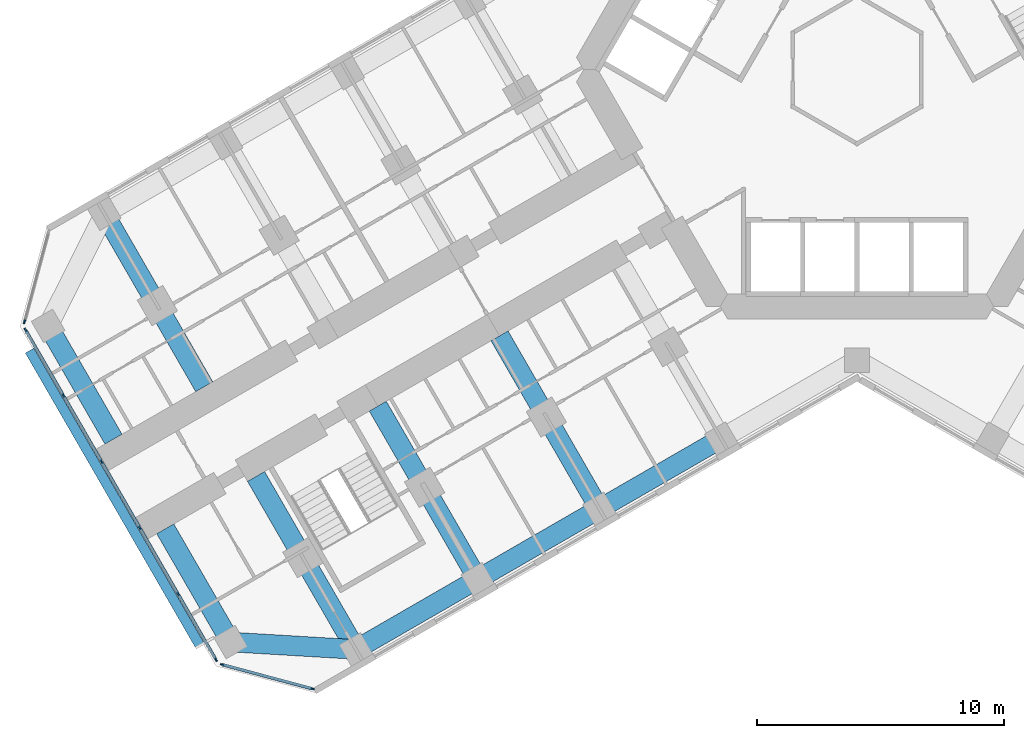
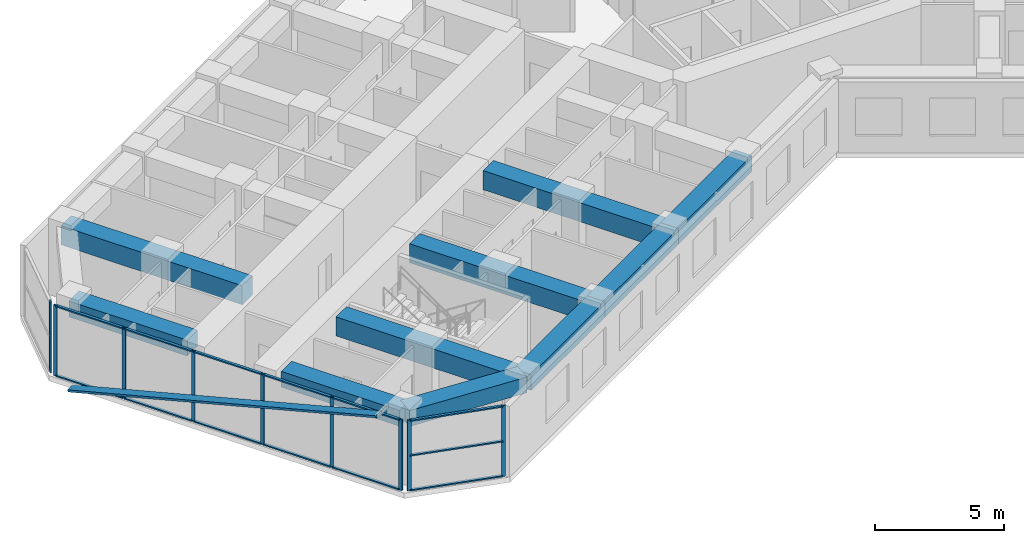
# One storey, part 2 of 21: 23 members, 10 beams, 3 elements without a shape of their own.
"""IFC4 building model written with IfcOpenShell, lengths in metres."""

from ifc_helpers import new_model, si_unit, direction, frame, origin, origin_2d, place, context, subcontext, project, spatial, rectangle, extrude, material, material_profile, profile_set, type_object, element, aggregate, save


model = new_model("IFC4")

# Units and contexts
model_context = context("Model", 3, precision=1e-05, world=origin(), true_north=direction((0.0, 1.0)))
body_context = subcontext(model_context, "Body", "Model", "MODEL_VIEW")
ifc_project = project(units=[si_unit("LENGTHUNIT", "METRE"), si_unit("AREAUNIT", "SQUARE_METRE"), si_unit("VOLUMEUNIT", "CUBIC_METRE"), si_unit("PLANEANGLEUNIT", "RADIAN"), si_unit("MASSUNIT", "GRAM", prefix="KILO")], contexts=[model_context])

# Site, building, storey
site_placement = place(None, origin())
site = spatial("IfcSite", under=ifc_project, at=site_placement, CompositionType="ELEMENT")
building_placement = place(site_placement, origin())
building = spatial("IfcBuilding", under=site, at=building_placement, Name="Kosmar Iwan School Tower", CompositionType="ELEMENT")
storey_placement = place(building_placement, frame((0.0, 0.0, 61.0)))
storey = spatial("IfcBuildingStorey", under=building, at=storey_placement, Name="L14", CompositionType="ELEMENT", Elevation=61.0)

# Member
ifc_material_1 = material(Name="Black anodised aluminium", Category="aluminium")
ifc_material_profile_1 = material_profile(ifc_material_1, rectangle(XDim=0.10009765625, YDim=0.39990234375, at=origin_2d()), Name="FIN 100x400")
ifc_profile_set_1 = profile_set([ifc_material_profile_1], Name="Black anodised aluminium")
member_type_1 = type_object("IfcMemberType", Name="Diagonal fin 100x400", PredefinedType="USERDEFINED", material=ifc_profile_set_1)
member_1_placement = place(storey_placement, frame((-33.54345703125, -11.40087890625, -0.14990234375), z_axis=(0.483795538458, -0.837973939202, 0.252470897702), x_axis=(-0.126233699175, 0.218647221293, 0.967604488318)))
element("IfcMember", 1, at=member_1_placement, inside=storey, type_object=member_type_1, Name="Diagonal fin L14-F13", ObjectType="FIN", PredefinedType="USERDEFINED", context=body_context, shape_type="SweptSolid", body=[
    extrude(rectangle(XDim=0.10009765625, YDim=0.39990234375, at=origin_2d()), origin(), (0.0, 0.0, 1.0), 14.258544921875),
])

# Curtain wall, member
ifc_material_2 = material(Name="Dark glass in black aluminium frame", Category="aluminium")
curtain_wall_type_1 = type_object("IfcCurtainWallType", Name="Chamfer curtain wall dark glass", PredefinedType="USERDEFINED", material=ifc_material_2)
curtain_wall_1_placement = place(storey_placement, origin())
curtain_wall_1 = element("IfcCurtainWall", 2, at=curtain_wall_1_placement, inside=storey, type_object=curtain_wall_type_1, Name="Curtain wall L14-F12", ObjectType="FACETED CURTAIN WALL", PredefinedType="USERDEFINED")
ifc_material_3 = material(Name="Black anodised aluminium", Category="aluminium")
ifc_material_profile_2 = material_profile(ifc_material_3, rectangle(XDim=0.06005859375, YDim=0.159912109375, at=origin_2d()), Name="MULLION 60x160")
ifc_profile_set_2 = profile_set([ifc_material_profile_2], Name="Black anodised aluminium")
member_type_2 = type_object("IfcMemberType", Name="Mullion 60x160", PredefinedType="MULLION", material=ifc_profile_set_2)
member_2_placement = place(storey_placement, frame((-33.7587890625, -10.2236328125, 0.0), z_axis=(0.0, 0.0, 1.0), x_axis=(0.965925875495, -0.258818861462, 0.0)))
member_2 = element("IfcMember", 3, at=member_2_placement, type_object=member_type_2, Name="CW2 mullion 2", PredefinedType="MULLION", context=body_context, shape_type="SweptSolid", body=[
    extrude(rectangle(XDim=0.06005859375, YDim=0.159912109375, at=origin_2d()), origin(), (0.0, 0.0, 1.0), 3.35009765625),
])
aggregate(curtain_wall_1, [member_2])

# Curtain wall, members
ifc_material_4 = material(Name="Dark glass in black aluminium frame", Category="aluminium")
curtain_wall_type_2 = type_object("IfcCurtainWallType", Name="Tower curtain wall dark glass", PredefinedType="USERDEFINED", material=ifc_material_4)
curtain_wall_2_placement = place(storey_placement, origin())
curtain_wall_2 = element("IfcCurtainWall", 4, at=curtain_wall_2_placement, inside=storey, type_object=curtain_wall_type_2, Name="Curtain wall L14-F13", ObjectType="UNITISED CURTAIN WALL", PredefinedType="USERDEFINED")
member_3_placement = place(storey_placement, frame((-33.71533203125, -10.55322265625, 0.0), z_axis=(0.0, 0.0, 1.0), x_axis=(0.866025405329, 0.499999997325, 0.0)))
member_3 = element("IfcMember", 5, at=member_3_placement, type_object=member_type_2, Name="CW1 mullion 1", PredefinedType="MULLION", context=body_context, shape_type="SweptSolid", body=[
    extrude(rectangle(XDim=0.06005859375, YDim=0.159912109375, at=origin_2d()), origin(), (0.0, 0.0, 1.0), 3.35009765625),
])
member_4_placement = place(storey_placement, frame((-32.1806640625, -13.21142578125, 0.0), z_axis=(0.0, 0.0, 1.0), x_axis=(0.866025405329, 0.499999997325, 0.0)))
member_4 = element("IfcMember", 6, at=member_4_placement, type_object=member_type_2, Name="CW1 mullion 2", PredefinedType="MULLION", context=body_context, shape_type="SweptSolid", body=[
    extrude(rectangle(XDim=0.06005859375, YDim=0.159912109375, at=origin_2d()), origin(), (0.0, 0.0, 1.0), 3.35009765625),
])
member_5_placement = place(storey_placement, frame((-30.631103515625, -15.8955078125, 0.0), z_axis=(0.0, 0.0, 1.0), x_axis=(0.866025405329, 0.499999997325, 0.0)))
member_5 = element("IfcMember", 7, at=member_5_placement, type_object=member_type_2, Name="CW1 mullion 3", PredefinedType="MULLION", context=body_context, shape_type="SweptSolid", body=[
    extrude(rectangle(XDim=0.06005859375, YDim=0.159912109375, at=origin_2d()), origin(), (0.0, 0.0, 1.0), 3.35009765625),
])
member_6_placement = place(storey_placement, frame((-29.081298828125, -18.57958984375, 0.0), z_axis=(0.0, 0.0, 1.0), x_axis=(0.866025405329, 0.499999997325, 0.0)))
member_6 = element("IfcMember", 8, at=member_6_placement, type_object=member_type_2, Name="CW1 mullion 4", PredefinedType="MULLION", context=body_context, shape_type="SweptSolid", body=[
    extrude(rectangle(XDim=0.06005859375, YDim=0.159912109375, at=origin_2d()), origin(), (0.0, 0.0, 1.0), 3.35009765625),
])
member_7_placement = place(storey_placement, frame((-27.53173828125, -21.263671875, 0.0), z_axis=(0.0, 0.0, 1.0), x_axis=(0.866025405329, 0.499999997325, 0.0)))
member_7 = element("IfcMember", 9, at=member_7_placement, type_object=member_type_2, Name="CW1 mullion 5", PredefinedType="MULLION", context=body_context, shape_type="SweptSolid", body=[
    extrude(rectangle(XDim=0.06005859375, YDim=0.159912109375, at=origin_2d()), origin(), (0.0, 0.0, 1.0), 3.35009765625),
])
member_8_placement = place(storey_placement, frame((-25.9970703125, -23.921630859375, 0.0), z_axis=(0.0, 0.0, 1.0), x_axis=(0.866025405329, 0.499999997325, 0.0)))
member_8 = element("IfcMember", 10, at=member_8_placement, type_object=member_type_2, Name="CW1 mullion 6", PredefinedType="MULLION", context=body_context, shape_type="SweptSolid", body=[
    extrude(rectangle(XDim=0.06005859375, YDim=0.159912109375, at=origin_2d()), origin(), (0.0, 0.0, 1.0), 3.35009765625),
])

curtain_wall_3_placement = place(storey_placement, origin())
curtain_wall_3 = element("IfcCurtainWall", 11, at=curtain_wall_3_placement, inside=storey, type_object=curtain_wall_type_1, Name="Curtain wall L14-F14", ObjectType="FACETED CURTAIN WALL", PredefinedType="USERDEFINED")
member_9_placement = place(storey_placement, frame((-25.733154296875, -24.124267578125, 0.0), z_axis=(0.0, 0.0, 1.0), x_axis=(0.258818861462, 0.965925875495, 0.0)))
member_9 = element("IfcMember", 12, at=member_9_placement, type_object=member_type_2, Name="CW2 mullion 1", PredefinedType="MULLION", context=body_context, shape_type="SweptSolid", body=[
    extrude(rectangle(XDim=0.06005859375, YDim=0.159912109375, at=origin_2d()), origin(), (0.0, 0.0, 1.0), 3.35009765625),
])
member_10_placement = place(storey_placement, frame((-22.0830078125, -25.102294921875, 0.0), z_axis=(0.0, 0.0, 1.0), x_axis=(0.258818861462, 0.965925875495, 0.0)))
member_10 = element("IfcMember", 13, at=member_10_placement, type_object=member_type_2, Name="CW2 mullion 2", PredefinedType="MULLION", context=body_context, shape_type="SweptSolid", body=[
    extrude(rectangle(XDim=0.06005859375, YDim=0.159912109375, at=origin_2d()), origin(), (0.0, 0.0, 1.0), 3.35009765625),
])

# Beams
ifc_material_5 = material(Name="Concrete C50/60", Category="concrete")
ifc_material_profile_3 = material_profile(ifc_material_5, rectangle(XDim=0.800048828125, YDim=0.75, at=origin_2d()), Name="RC 800x750")
ifc_profile_set_3 = profile_set([ifc_material_profile_3], Name="Concrete C50/60")
beam_type_1 = type_object("IfcBeamType", Name="RC edge beam 800x750", PredefinedType="BEAM", material=ifc_profile_set_3)
beam_1_placement = place(storey_placement, frame((-5.5087890625, -14.95849609375, 2.97509765625), z_axis=(-0.866033658841, -0.49998570155, 0.0), x_axis=(0.49998570155, -0.866033658841, 0.0)))
element("IfcBeam", 14, at=beam_1_placement, inside=storey, type_object=beam_type_1, Name="Edge beam BL2", PredefinedType="BEAM", context=body_context, shape_type="SweptSolid", body=[
    extrude(rectangle(XDim=0.800048828125, YDim=0.75, at=origin_2d()), origin(), (0.0, 0.0, 1.0), 5.699951171875),
])
beam_2_placement = place(storey_placement, frame((-10.445068359375, -17.808349609375, 2.97509765625), z_axis=(-0.866025820012, -0.499999279071, 0.0), x_axis=(0.499999279071, -0.866025820012, 0.0)))
element("IfcBeam", 15, at=beam_2_placement, inside=storey, type_object=beam_type_1, Name="Edge beam BL3", PredefinedType="BEAM", context=body_context, shape_type="SweptSolid", body=[
    extrude(rectangle(XDim=0.800048828125, YDim=0.75, at=origin_2d()), origin(), (0.0, 0.0, 1.0), 5.7001953125),
])
beam_3_placement = place(storey_placement, frame((-15.381591796875, -20.658447265625, 2.97509765625), z_axis=(-0.866015111908, -0.50001782563, 0.0), x_axis=(0.50001782563, -0.866015111908, 0.0)))
element("IfcBeam", 16, at=beam_3_placement, inside=storey, type_object=beam_type_1, Name="Edge beam BL4", PredefinedType="BEAM", context=body_context, shape_type="SweptSolid", body=[
    extrude(rectangle(XDim=0.800048828125, YDim=0.75, at=origin_2d()), origin(), (0.0, 0.0, 1.0), 5.699951171875),
])
ifc_material_6 = material(Name="Concrete C50/60", Category="concrete")
ifc_material_profile_4 = material_profile(ifc_material_6, rectangle(XDim=0.800048828125, YDim=0.75, at=origin_2d()), Name="RC 800x750")
ifc_profile_set_4 = profile_set([ifc_material_profile_4], Name="Concrete C50/60")
beam_type_2 = type_object("IfcBeamType", Name="RC tip beam 800x750", PredefinedType="BEAM", material=ifc_profile_set_4)
beam_4_placement = place(storey_placement, frame((-20.31787109375, -23.508544921875, 2.97509765625), z_axis=(-0.998260616478, 0.058955420358, 0.0), x_axis=(-0.058955420358, -0.998260616478, 0.0)))
element("IfcBeam", 17, at=beam_4_placement, inside=storey, type_object=beam_type_2, Name="Tip beam BL", PredefinedType="BEAM", context=body_context, shape_type="SweptSolid", body=[
    extrude(rectangle(XDim=0.800048828125, YDim=0.75, at=origin_2d()), origin(), (0.0, 0.0, 1.0), 5.08935546875),
])
beam_5_placement = place(storey_placement, frame((-25.3984375, -23.20849609375, 2.97509765625), z_axis=(-0.499993606316, 0.866029095148, 0.0), x_axis=(-0.866029095148, -0.499993606316, 0.0)))
element("IfcBeam", 18, at=beam_5_placement, inside=storey, type_object=beam_type_2, Name="Tip beam BL to corridor wall", PredefinedType="BEAM", context=body_context, shape_type="SweptSolid", body=[
    extrude(rectangle(XDim=0.800048828125, YDim=0.75, at=origin_2d()), origin(), (0.0, 0.0, 1.0), 5.2998046875),
])
beam_6_placement = place(storey_placement, frame((-32.79833984375, -10.391357421875, 2.97509765625), z_axis=(0.499973660256, -0.866040610509, 0.0), x_axis=(0.866040610509, 0.499973660256, 0.0)))
element("IfcBeam", 19, at=beam_6_placement, inside=storey, type_object=beam_type_2, Name="Tip beam BR to corridor wall", PredefinedType="BEAM", context=body_context, shape_type="SweptSolid", body=[
    extrude(rectangle(XDim=0.800048828125, YDim=0.75, at=origin_2d()), origin(), (0.0, 0.0, 1.0), 5.300048828125),
])
ifc_material_7 = material(Name="Concrete C50/60", Category="concrete")
ifc_material_profile_5 = material_profile(ifc_material_7, rectangle(XDim=0.800048828125, YDim=0.89990234375, at=origin_2d()), Name="RC 800x900")
ifc_profile_set_5 = profile_set([ifc_material_profile_5], Name="Concrete C50/60")
beam_type_3 = type_object("IfcBeamType", Name="RC transverse beam 800x900", PredefinedType="BEAM", material=ifc_profile_set_5)
beam_7_placement = place(storey_placement, frame((-10.445068359375, -17.808349609375, 2.89990234375), z_axis=(-0.500012932018, 0.866017937352, 0.0), x_axis=(-0.866017937352, -0.500012932018, 0.0)))
element("IfcBeam", 20, at=beam_7_placement, inside=storey, type_object=beam_type_3, Name="Transverse beam BL2", PredefinedType="BEAM", context=body_context, shape_type="SweptSolid", body=[
    extrude(rectangle(XDim=0.800048828125, YDim=0.89990234375, at=origin_2d()), origin(), (0.0, 0.0, 1.0), 8.099853515625),
])
for number, where, z_axis, x_axis, name in (
    (21, (-15.381591796875, -20.658447265625, 2.89990234375), (-0.499977274689, 0.866038523851, 0.0), (-0.866038523851, -0.499977274689, 0.0), "Transverse beam BL3"),
    (22, (-20.31787109375, -23.508544921875, 2.89990234375), (-0.499999880539, 0.866025472755, 0.0), (-0.866025472755, -0.499999880539, 0.0), "Transverse beam BL4"),
    (23, (-30.517822265625, -5.841552734375, 2.89990234375), (0.499999880539, -0.866025472755, 0.0), (0.866025472755, 0.499999880539, 0.0), "Transverse beam BR4"),
):
    element("IfcBeam", number, at=place(storey_placement, frame(where, z_axis=z_axis, x_axis=x_axis)), inside=storey, type_object=beam_type_3, Name=name, PredefinedType="BEAM", context=body_context, shape_type="SweptSolid", body=[
        extrude(rectangle(XDim=0.800048828125, YDim=0.89990234375, at=origin_2d()), origin(), (0.0, 0.0, 1.0), 8.10009765625),
    ])

# Member
ifc_material_8 = material(Name="Black anodised aluminium", Category="aluminium")
ifc_material_profile_6 = material_profile(ifc_material_8, rectangle(XDim=0.1201171875, YDim=0.06005859375, at=origin_2d()), Name="TRANSOM 60x120")
ifc_profile_set_6 = profile_set([ifc_material_profile_6], Name="Black anodised aluminium")
member_type_3 = type_object("IfcMemberType", Name="Transom 60x120", PredefinedType="USERDEFINED", material=ifc_profile_set_6)
member_11_placement = place(storey_placement, frame((-33.700439453125, -10.579345703125, 0.030029296875), z_axis=(0.500022102064, -0.866012642776, 0.0), x_axis=(0.866012642776, 0.500022102064, 0.0)))
member_11 = element("IfcMember", 24, at=member_11_placement, type_object=member_type_3, Name="CW1 transom 1.1", ObjectType="TRANSOM", PredefinedType="USERDEFINED", context=body_context, shape_type="SweptSolid", body=[
    extrude(rectangle(XDim=0.1201171875, YDim=0.06005859375, at=origin_2d()), origin(), (0.0, 0.0, 1.0), 3.009033203125),
])

member_12_placement = place(storey_placement, frame((-33.700439453125, -10.579345703125, 3.320068359375), z_axis=(0.500022102064, -0.866012642776, 0.0), x_axis=(0.866012642776, 0.500022102064, 0.0)))
member_12 = element("IfcMember", 25, at=member_12_placement, type_object=member_type_3, Name="CW1 transom 1.2", ObjectType="TRANSOM", PredefinedType="USERDEFINED", context=body_context, shape_type="SweptSolid", body=[
    extrude(rectangle(XDim=0.1201171875, YDim=0.06005859375, at=origin_2d()), origin(), (0.0, 0.0, 1.0), 3.009033203125),
])

member_13_placement = place(storey_placement, frame((-32.165771484375, -13.2373046875, 0.030029296875), z_axis=(0.500035348339, -0.866004994449, 0.0), x_axis=(0.866004994449, 0.500035348339, 0.0)))
member_13 = element("IfcMember", 26, at=member_13_placement, type_object=member_type_3, Name="CW1 transom 2.1", ObjectType="TRANSOM", PredefinedType="USERDEFINED", context=body_context, shape_type="SweptSolid", body=[
    extrude(rectangle(XDim=0.1201171875, YDim=0.06005859375, at=origin_2d()), origin(), (0.0, 0.0, 1.0), 3.039306640625),
])

member_14_placement = place(storey_placement, frame((-32.165771484375, -13.2373046875, 3.320068359375), z_axis=(0.500035348339, -0.866004994449, 0.0), x_axis=(0.866004994449, 0.500035348339, 0.0)))
member_14 = element("IfcMember", 27, at=member_14_placement, type_object=member_type_3, Name="CW1 transom 2.2", ObjectType="TRANSOM", PredefinedType="USERDEFINED", context=body_context, shape_type="SweptSolid", body=[
    extrude(rectangle(XDim=0.1201171875, YDim=0.06005859375, at=origin_2d()), origin(), (0.0, 0.0, 1.0), 3.039306640625),
])

member_15_placement = place(storey_placement, frame((-30.615966796875, -15.92138671875, 0.030029296875), z_axis=(0.499975102327, -0.866039777986, 0.0), x_axis=(0.866039777986, 0.499975102327, 0.0)))
member_15 = element("IfcMember", 28, at=member_15_placement, type_object=member_type_3, Name="CW1 transom 3.1", ObjectType="TRANSOM", PredefinedType="USERDEFINED", context=body_context, shape_type="SweptSolid", body=[
    extrude(rectangle(XDim=0.1201171875, YDim=0.06005859375, at=origin_2d()), origin(), (0.0, 0.0, 1.0), 3.039306640625),
])

member_16_placement = place(storey_placement, frame((-30.615966796875, -15.92138671875, 3.320068359375), z_axis=(0.499975102327, -0.866039777986, 0.0), x_axis=(0.866039777986, 0.499975102327, 0.0)))
member_16 = element("IfcMember", 29, at=member_16_placement, type_object=member_type_3, Name="CW1 transom 3.2", ObjectType="TRANSOM", PredefinedType="USERDEFINED", context=body_context, shape_type="SweptSolid", body=[
    extrude(rectangle(XDim=0.1201171875, YDim=0.06005859375, at=origin_2d()), origin(), (0.0, 0.0, 1.0), 3.039306640625),
])

member_17_placement = place(storey_placement, frame((-29.06640625, -18.60546875, 0.030029296875), z_axis=(0.499975102327, -0.866039777986, 0.0), x_axis=(0.866039777986, 0.499975102327, 0.0)))
member_17 = element("IfcMember", 30, at=member_17_placement, type_object=member_type_3, Name="CW1 transom 4.1", ObjectType="TRANSOM", PredefinedType="USERDEFINED", context=body_context, shape_type="SweptSolid", body=[
    extrude(rectangle(XDim=0.1201171875, YDim=0.06005859375, at=origin_2d()), origin(), (0.0, 0.0, 1.0), 3.039306640625),
])

member_18_placement = place(storey_placement, frame((-29.06640625, -18.60546875, 3.320068359375), z_axis=(0.499975102327, -0.866039777986, 0.0), x_axis=(0.866039777986, 0.499975102327, 0.0)))
member_18 = element("IfcMember", 31, at=member_18_placement, type_object=member_type_3, Name="CW1 transom 4.2", ObjectType="TRANSOM", PredefinedType="USERDEFINED", context=body_context, shape_type="SweptSolid", body=[
    extrude(rectangle(XDim=0.1201171875, YDim=0.06005859375, at=origin_2d()), origin(), (0.0, 0.0, 1.0), 3.039306640625),
])

member_19_placement = place(storey_placement, frame((-27.516845703125, -21.28955078125, 0.030029296875), z_axis=(0.499986971506, -0.866032925658, 0.0), x_axis=(0.866032925658, 0.499986971506, 0.0)))
member_19 = element("IfcMember", 32, at=member_19_placement, type_object=member_type_3, Name="CW1 transom 5.1", ObjectType="TRANSOM", PredefinedType="USERDEFINED", context=body_context, shape_type="SweptSolid", body=[
    extrude(rectangle(XDim=0.1201171875, YDim=0.06005859375, at=origin_2d()), origin(), (0.0, 0.0, 1.0), 3.00927734375),
])

member_20_placement = place(storey_placement, frame((-27.516845703125, -21.28955078125, 3.320068359375), z_axis=(0.499986971506, -0.866032925658, 0.0), x_axis=(0.866032925658, 0.499986971506, 0.0)))
member_20 = element("IfcMember", 33, at=member_20_placement, type_object=member_type_3, Name="CW1 transom 5.2", ObjectType="TRANSOM", PredefinedType="USERDEFINED", context=body_context, shape_type="SweptSolid", body=[
    extrude(rectangle(XDim=0.1201171875, YDim=0.06005859375, at=origin_2d()), origin(), (0.0, 0.0, 1.0), 3.00927734375),
])

aggregate(curtain_wall_2, [member_3, member_4, member_5, member_6, member_7, member_8, member_11, member_12, member_13, member_14, member_15, member_16, member_17, member_18, member_19, member_20])

member_21_placement = place(storey_placement, frame((-25.704345703125, -24.1318359375, 0.030029296875), z_axis=(0.965923731726, -0.258826861991, 0.0), x_axis=(0.258826861991, 0.965923731726, 0.0)))
member_21 = element("IfcMember", 34, at=member_21_placement, type_object=member_type_3, Name="CW2 transom 1.1", ObjectType="TRANSOM", PredefinedType="USERDEFINED", context=body_context, shape_type="SweptSolid", body=[
    extrude(rectangle(XDim=0.1201171875, YDim=0.06005859375, at=origin_2d()), origin(), (0.0, 0.0, 1.0), 3.71923828125),
])

member_22_placement = place(storey_placement, frame((-25.704345703125, -24.1318359375, 1.675048828125), z_axis=(0.965923731726, -0.258826861991, 0.0), x_axis=(0.258826861991, 0.965923731726, 0.0)))
member_22 = element("IfcMember", 35, at=member_22_placement, type_object=member_type_3, Name="CW2 transom 1.2", ObjectType="TRANSOM", PredefinedType="USERDEFINED", context=body_context, shape_type="SweptSolid", body=[
    extrude(rectangle(XDim=0.1201171875, YDim=0.06005859375, at=origin_2d()), origin(), (0.0, 0.0, 1.0), 3.71923828125),
])

member_23_placement = place(storey_placement, frame((-25.704345703125, -24.1318359375, 3.320068359375), z_axis=(0.965923731726, -0.258826861991, 0.0), x_axis=(0.258826861991, 0.965923731726, 0.0)))
member_23 = element("IfcMember", 36, at=member_23_placement, type_object=member_type_3, Name="CW2 transom 1.3", ObjectType="TRANSOM", PredefinedType="USERDEFINED", context=body_context, shape_type="SweptSolid", body=[
    extrude(rectangle(XDim=0.1201171875, YDim=0.06005859375, at=origin_2d()), origin(), (0.0, 0.0, 1.0), 3.71923828125),
])

aggregate(curtain_wall_3, [member_9, member_10, member_21, member_22, member_23])

save(model, "model.ifc")
